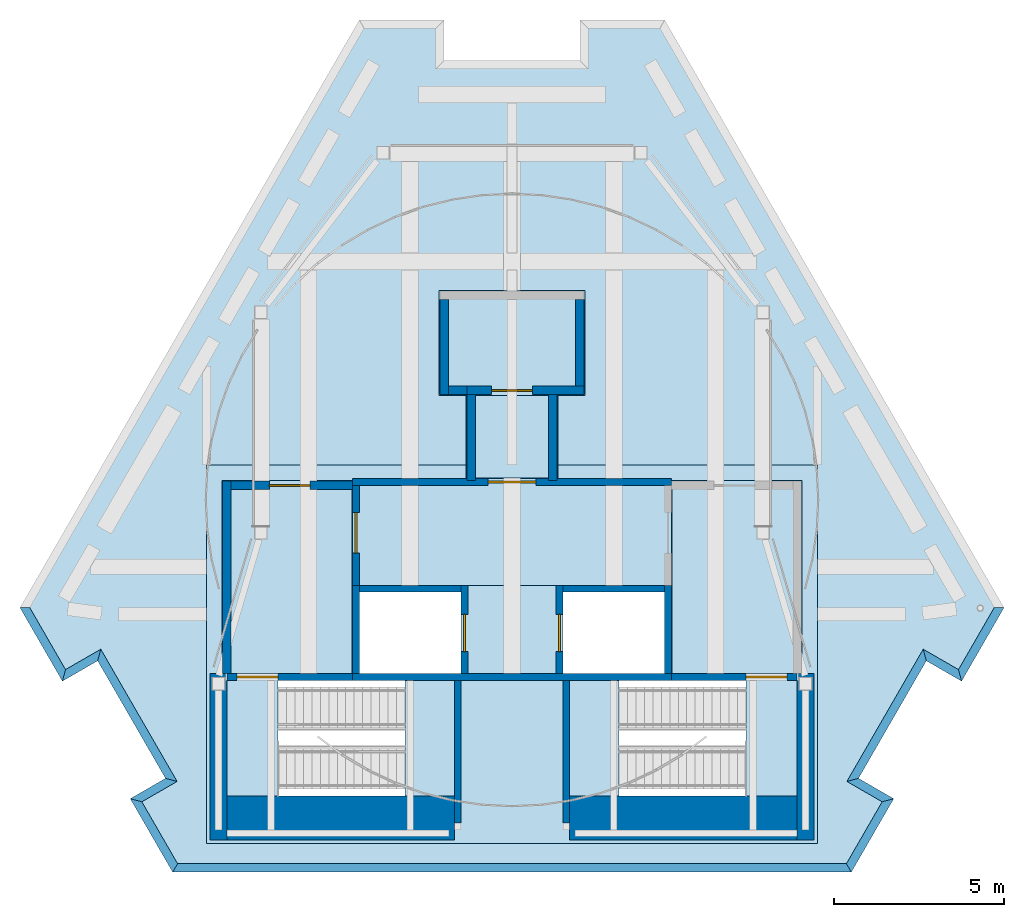
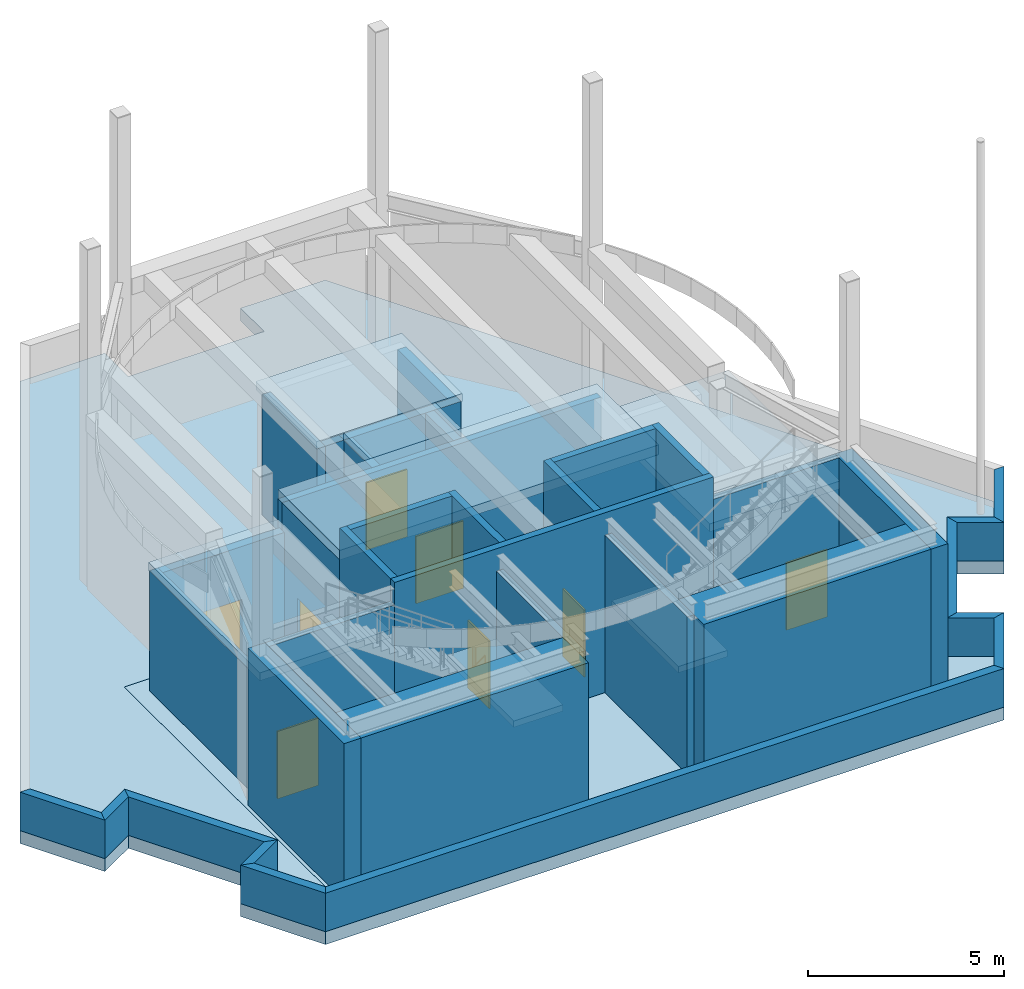
# One storey, part 3 of 6: 36 walls, 9 slabs, 8 doors, 8 openings, 2 elements without a shape of their own.
"""IFC4 building model written with IfcOpenShell, lengths in metres."""

from ifc_helpers import new_model, si_unit, direction, frame, frame_2d, origin, place, context, subcontext, project, spatial, polyline, rectangle, outline, extrude, material, layer, layer_set, type_object, element, fill, aggregate, save


model = new_model("IFC4")

# Units and contexts
model_context = context("Model", 3, precision=1e-05, world=origin(), true_north=direction((0.0, 1.0)))
body_context = subcontext(model_context, "Body", "Model", "MODEL_VIEW")
ifc_project = project(units=[si_unit("LENGTHUNIT", "METRE"), si_unit("AREAUNIT", "SQUARE_METRE"), si_unit("VOLUMEUNIT", "CUBIC_METRE"), si_unit("PLANEANGLEUNIT", "RADIAN"), si_unit("MASSUNIT", "GRAM", prefix="KILO")], contexts=[model_context])

# Site, building, storey
site_placement = place(None, origin())
site = spatial("IfcSite", under=ifc_project, at=site_placement, CompositionType="ELEMENT")
building_placement = place(site_placement, origin())
building = spatial("IfcBuilding", under=site, at=building_placement, Name="Fogline Exchange Tower", CompositionType="ELEMENT")
storey_placement = place(building_placement, frame((0.0, 0.0, 363.60009765625)))
storey = spatial("IfcBuildingStorey", under=building, at=storey_placement, Name="RF", CompositionType="ELEMENT", Elevation=363.60009765625)

# Slabs
ifc_material_1 = material(Name="Concrete C40", Category="concrete")
ifc_layer_1 = layer(ifc_material_1, 0.300048828125)
ifc_layer_set_1 = layer_set([ifc_layer_1], Name="CR300")
slab_type_1 = type_object("IfcSlabType", Name="CR300", PredefinedType="ROOF", material=ifc_layer_set_1)
slab_1_placement = place(storey_placement, frame((0.0, 0.0, 4.599853515625)))
element("IfcSlab", 1, at=slab_1_placement, inside=storey, type_object=slab_type_1, Name="Lift lobby roof slab", PredefinedType="ROOF", context=body_context, shape_type="SweptSolid", body=[
    extrude(outline(polyline([(-4.699951171875, 8.449951171875), (4.699951171875, 8.449951171875), (4.699951171875, 11.60009765625), (-4.699951171875, 11.60009765625), (-4.699951171875, 8.449951171875)])), origin(), (0.0, 0.0, 1.0), 0.300048828125),
])
ifc_layer_2 = layer(ifc_material_1, 0.39990234375)
ifc_layer_set_2 = layer_set([ifc_layer_2], Name="CR400")
slab_type_2 = type_object("IfcSlabType", Name="CR400", PredefinedType="ROOF", material=ifc_layer_set_2)
slab_2_placement = place(storey_placement, frame((0.0, 0.0, -0.400146484375)))
element("IfcSlab", 2, at=slab_2_placement, inside=storey, type_object=slab_type_2, Name="Core roof slab", PredefinedType="ROOF", context=body_context, shape_type="SweptSolid", body=[
    extrude(outline(polyline([(-9.0, 12.0), (9.0, 12.0), (9.0, 0.85009765625), (-9.0, 0.85009765625), (-9.0, 12.0)]), holes=[polyline([(-6.889892578125, 2.25), (-1.699951171875, 2.25), (-1.699951171875, 5.64990234375), (-6.889892578125, 5.64990234375), (-6.889892578125, 2.25)]), polyline([(1.699951171875, 2.25), (6.889892578125, 2.25), (6.889892578125, 5.64990234375), (1.699951171875, 5.64990234375), (1.699951171875, 2.25)]), polyline([(-4.5, 5.85009765625), (-1.5, 5.85009765625), (-1.5, 8.25), (-4.5, 8.25), (-4.5, 5.85009765625)]), polyline([(1.5, 5.85009765625), (4.5, 5.85009765625), (4.5, 8.25), (1.5, 8.25), (1.5, 5.85009765625)])]), origin(), (0.0, 0.0, 1.0), 0.400146484375),
])

# Stair, slab
ifc_material_2 = material(Name="Steel Q355 grade B", Category="steel")
stair_type = type_object("IfcStairType", Name="HST", PredefinedType="TWO_STRAIGHT_RUN_STAIR", material=ifc_material_2)
stair_1_placement = place(storey_placement, origin())
stair_1 = element("IfcStair", 3, at=stair_1_placement, inside=storey, type_object=stair_type, Name="Helipad stair W", PredefinedType="TWO_STRAIGHT_RUN_STAIR")
ifc_layer_3 = layer(ifc_material_2, 0.199951171875)
ifc_layer_set_3 = layer_set([ifc_layer_3], Name="HL1")
slab_type_3 = type_object("IfcSlabType", Name="HL1", PredefinedType="LANDING", material=ifc_layer_set_3)
slab_3_placement = place(storey_placement, frame((0.0, 0.0, 2.599853515625)))
slab_3 = element("IfcSlab", 4, at=slab_3_placement, type_object=slab_type_3, Name="HS1 landing 1", PredefinedType="LANDING", context=body_context, shape_type="SweptSolid", body=[
    extrude(outline(polyline([(-3.14990234375, 2.25), (-1.699951171875, 2.25), (-1.699951171875, 5.64990234375), (-3.14990234375, 5.64990234375), (-3.14990234375, 2.25)])), origin(), (0.0, 0.0, 1.0), 0.199951171875),
])
aggregate(stair_1, [slab_3])

stair_2_placement = place(storey_placement, origin())
stair_2 = element("IfcStair", 5, at=stair_2_placement, inside=storey, type_object=stair_type, Name="Helipad stair E", PredefinedType="TWO_STRAIGHT_RUN_STAIR")
slab_4_placement = place(storey_placement, frame((0.0, 0.0, 2.599853515625)))
slab_4 = element("IfcSlab", 6, at=slab_4_placement, type_object=slab_type_3, Name="HS2 landing 1", PredefinedType="LANDING", context=body_context, shape_type="SweptSolid", body=[
    extrude(outline(polyline([(3.14990234375, 2.25), (1.699951171875, 2.25), (1.699951171875, 5.64990234375), (3.14990234375, 5.64990234375), (3.14990234375, 2.25)])), origin(), (0.0, 0.0, 1.0), 0.199951171875),
])
aggregate(stair_2, [slab_4])

# Slabs
ifc_layer_4 = layer(ifc_material_1, 0.25)
ifc_layer_set_4 = layer_set([ifc_layer_4], Name="PRF1")
slab_type_4 = type_object("IfcSlabType", Name="PRF1", PredefinedType="ROOF", material=ifc_layer_set_4)
slab_5_placement = place(storey_placement, frame((0.0, 0.0, 3.75)))
element("IfcSlab", 7, at=slab_5_placement, inside=storey, type_object=slab_type_4, Name="Penthouse roof slab", PredefinedType="ROOF", context=body_context, shape_type="SweptSolid", body=[
    extrude(outline(polyline([(2.14990234375, 17.14990234375), (2.14990234375, 14.050048828125), (-2.14990234375, 14.050048828125), (-2.14990234375, 17.14990234375), (2.14990234375, 17.14990234375)])), origin(), (0.0, 0.0, 1.0), 0.25),
])
slab_6_placement = place(storey_placement, frame((0.0, 0.0, 3.75)))
element("IfcSlab", 8, at=slab_6_placement, inside=storey, type_object=slab_type_4, Name="Penthouse roof slab", PredefinedType="ROOF", context=body_context, shape_type="SweptSolid", body=[
    extrude(outline(polyline([(1.35009765625, 11.610107421875), (-1.35009765625, 11.610107421875), (-1.35009765625, 14.050048828125), (1.35009765625, 14.050048828125), (1.35009765625, 11.610107421875)])), origin(), (0.0, 0.0, 1.0), 0.25),
])
slab_7_placement = place(storey_placement, frame((0.0, 0.0, 3.75)))
element("IfcSlab", 9, at=slab_7_placement, inside=storey, type_object=slab_type_4, Name="Penthouse roof slab", PredefinedType="ROOF", context=body_context, shape_type="SweptSolid", body=[
    extrude(outline(polyline([(-8.550048828125, 11.550048828125), (-4.7099609375, 11.550048828125), (-4.7099609375, 5.860107421875), (-8.550048828125, 5.860107421875), (-8.550048828125, 11.550048828125)])), origin(), (0.0, 0.0, 1.0), 0.25),
])
slab_8_placement = place(storey_placement, frame((0.0, 0.0, 3.75)))
element("IfcSlab", 10, at=slab_8_placement, inside=storey, type_object=slab_type_4, Name="Penthouse roof slab", PredefinedType="ROOF", context=body_context, shape_type="SweptSolid", body=[
    extrude(outline(polyline([(8.550048828125, 5.860107421875), (4.7099609375, 5.860107421875), (4.7099609375, 11.550048828125), (8.550048828125, 11.550048828125), (8.550048828125, 5.860107421875)])), origin(), (0.0, 0.0, 1.0), 0.25),
])
ifc_layer_5 = layer(ifc_material_1, 0.39990234375)
ifc_layer_set_5 = layer_set([ifc_layer_5], Name="S11")
slab_type_5 = type_object("IfcSlabType", Name="S11", PredefinedType="ROOF", material=ifc_layer_set_5)
slab_9_placement = place(storey_placement, frame((0.0, 0.0, -0.400146484375)))
element("IfcSlab", 11, at=slab_9_placement, inside=storey, type_object=slab_type_5, Name="SLAB RF", PredefinedType="ROOF", context=body_context, shape_type="SweptSolid", body=[
    extrude(outline(polyline([(-4.5, 25.11474609375), (-14.5, 7.794189453125), (-13.25, 5.629150390625), (-12.210693359375, 6.229248046875), (-10.210693359375, 2.76513671875), (-11.25, 2.1650390625), (-10.0, 0.0), (10.0, 0.0), (11.25, 2.1650390625), (10.210693359375, 2.76513671875), (12.210693359375, 6.229248046875), (13.25, 5.629150390625), (14.5, 7.794189453125), (4.5, 25.11474609375), (2.0, 25.11474609375), (2.0, 23.914794921875), (-2.0, 23.914794921875), (-2.0, 25.11474609375), (-4.5, 25.11474609375)]), holes=[polyline([(9.0, 0.85009765625), (-9.0, 0.85009765625), (-9.0, 12.0), (9.0, 12.0), (9.0, 0.85009765625)])]), origin(), (0.0, 0.0, 1.0), 0.400146484375),
])

# Walls
ifc_layer_6 = layer(ifc_material_1, 1.300048828125)
ifc_layer_set_6 = layer_set([ifc_layer_6], Name="CW130")
wall_type_1 = type_object("IfcWallType", Name="CW130", PredefinedType="SOLIDWALL", material=ifc_layer_set_6)
for number, where, z_axis, x_axis, name in (
    (12, (-8.39990234375, 1.60009765625, 0.0), (0.0, 0.0, 1.0), (1.0, 0.0, 0.0), "Stair head house wall"),
    (13, (1.699951171875, 1.60009765625, 0.0), (0.0, 0.0, 1.0), (1.0, 0.0, 0.0), "Stair head house wall"),
):
    element("IfcWall", number, at=place(storey_placement, frame(where, z_axis=z_axis, x_axis=x_axis)), inside=storey, type_object=wall_type_1, Name=name, PredefinedType="SOLIDWALL", context=body_context, shape_type="SweptSolid", body=[
        extrude(rectangle(XDim=6.699951171875, YDim=1.300048828125, at=frame_2d((3.35009765625, 0.0))), origin(), (0.0, 0.0, 1.0), 4.89990234375),
    ])
ifc_layer_7 = layer(ifc_material_1, 0.199951171875)
ifc_layer_set_7 = layer_set([ifc_layer_7], Name="CW20")
wall_type_2 = type_object("IfcWallType", Name="CW20", PredefinedType="SOLIDWALL", material=ifc_layer_set_7)
wall_1_placement = place(storey_placement, frame((-4.699951171875, 5.75, 0.0), z_axis=(0.0, 0.0, 1.0), x_axis=(1.0, 0.0, 0.0)))
element("IfcWall", 14, at=wall_1_placement, inside=storey, type_object=wall_type_2, Name="Lift shaft wall", PredefinedType="SOLIDWALL", context=body_context, shape_type="SweptSolid", body=[
    extrude(rectangle(XDim=9.39990234375, YDim=0.199951171875, at=frame_2d((4.699951171875, 0.0))), origin(), (0.0, 0.0, 1.0), 5.599853515625),
])

# Wall, opening, door
wall_2_placement = place(storey_placement, frame((-4.699951171875, 11.5, 0.0), z_axis=(0.0, 0.0, 1.0), x_axis=(1.0, 0.0, 0.0)))
wall_2 = element("IfcWall", 15, at=wall_2_placement, inside=storey, type_object=wall_type_2, Name="Lift lobby wall", PredefinedType="SOLIDWALL", context=body_context, shape_type="SweptSolid", body=[
    extrude(rectangle(XDim=9.39990234375, YDim=0.199951171875, at=frame_2d((4.699951171875, 0.0))), origin(), (0.0, 0.0, 1.0), 4.599853515625),
])
opening_1_placement = place(wall_2_placement, frame((4.0, 0.0, 0.0)))
opening_1 = element("IfcOpeningElement", 16, at=opening_1_placement, cuts=wall_2, Name="Opening RF-C001", PredefinedType="OPENING", context=body_context, shape_type="SweptSolid", body=[
    extrude(rectangle(XDim=1.39990234375, YDim=2.10009765625, at=frame_2d((0.699951171875, 1.050048828125))), frame((0.0, 0.10986328125, 0.0), z_axis=(0.0, -1.0, 0.0), x_axis=(1.0, 0.0, 0.0)), (0.0, 0.0, 1.0), 0.219970703125),
])
ifc_material_3 = material(Name="Steel and timber fire door", Category="steel")
door_type_1 = type_object("IfcDoorType", Name="D-LB1", OperationType="DOUBLE_DOOR_SINGLE_SWING", PredefinedType="DOOR", material=ifc_material_3)
door_1_placement = place(opening_1_placement, frame((1.39990234375, 0.0, 0.0), z_axis=(0.0, 0.0, 1.0), x_axis=(-1.0, 0.0, 0.0)))
door_1 = element("IfcDoor", 17, at=door_1_placement, inside=storey, type_object=door_type_1, Name="Roof door", OperationType="DOUBLE_DOOR_SINGLE_SWING", OverallHeight=2.10009765625, OverallWidth=1.39990234375, PredefinedType="DOOR", context=body_context, shape_type="SweptSolid", body=[
    extrude(rectangle(XDim=1.39990234375, YDim=2.10009765625, at=frame_2d((0.699951171875, 1.050048828125))), frame((0.0, 0.02490234375, 0.0), z_axis=(0.0, -1.0, 0.0), x_axis=(1.0, 0.0, 0.0)), (0.0, 0.0, 1.0), 0.050048828125),
])
fill(opening_1, door_1)

# Walls
for number, where, z_axis, x_axis, name in (
    (18, (-4.60009765625, 5.85009765625, 0.0), (0.0, 0.0, 1.0), (0.0, 1.0, 0.0), "Lift shaft wall"),
    (19, (4.60009765625, 5.85009765625, 0.0), (0.0, 0.0, 1.0), (0.0, 1.0, 0.0), "Lift shaft wall"),
):
    element("IfcWall", number, at=place(storey_placement, frame(where, z_axis=z_axis, x_axis=x_axis)), inside=storey, type_object=wall_type_2, Name=name, PredefinedType="SOLIDWALL", context=body_context, shape_type="SweptSolid", body=[
        extrude(rectangle(XDim=2.599853515625, YDim=0.199951171875, at=frame_2d((1.2998046875, 0.0))), origin(), (0.0, 0.0, 1.0), 5.599853515625),
    ])

# Wall, opening, door
wall_3_placement = place(storey_placement, frame((-4.60009765625, 8.449951171875, 0.0), z_axis=(0.0, 0.0, 1.0), x_axis=(0.0, 1.0, 0.0)))
wall_3 = element("IfcWall", 20, at=wall_3_placement, inside=storey, type_object=wall_type_2, Name="Lift shaft wall", PredefinedType="SOLIDWALL", context=body_context, shape_type="SweptSolid", body=[
    extrude(rectangle(XDim=2.949951171875, YDim=0.199951171875, at=frame_2d((1.47509765625, 0.0))), origin(), (0.0, 0.0, 1.0), 4.599853515625),
])
opening_2_placement = place(wall_3_placement, frame((0.949951171875, 0.0, 0.0)))
opening_2 = element("IfcOpeningElement", 21, at=opening_2_placement, cuts=wall_3, Name="Opening RF-C004", PredefinedType="OPENING", context=body_context, shape_type="SweptSolid", body=[
    extrude(rectangle(XDim=1.199951171875, YDim=2.10009765625, at=frame_2d((0.60009765625, 1.050048828125))), frame((0.0, 0.10986328125, 0.0), z_axis=(0.0, -1.0, 0.0), x_axis=(1.0, 0.0, 0.0)), (0.0, 0.0, 1.0), 0.219970703125),
])
ifc_material_4 = material(Name="Steel Q235B", Category="steel")
door_type_2 = type_object("IfcDoorType", Name="PD7", OperationType="SINGLE_SWING_LEFT", PredefinedType="DOOR", material=ifc_material_4)
door_2_placement = place(opening_2_placement, origin())
door_2 = element("IfcDoor", 22, at=door_2_placement, inside=storey, type_object=door_type_2, Name="Roof lobby door", OperationType="SINGLE_SWING_RIGHT", OverallHeight=2.10009765625, OverallWidth=1.199951171875, PredefinedType="DOOR", context=body_context, shape_type="SweptSolid", body=[
    extrude(rectangle(XDim=1.199951171875, YDim=2.10009765625, at=frame_2d((0.60009765625, 1.050048828125))), frame((0.0, 0.02490234375, 0.0), z_axis=(0.0, -1.0, 0.0), x_axis=(1.0, 0.0, 0.0)), (0.0, 0.0, 1.0), 0.050048828125),
])
fill(opening_2, door_2)

wall_4_placement = place(storey_placement, frame((-1.39990234375, 5.85009765625, 0.0), z_axis=(0.0, 0.0, 1.0), x_axis=(0.0, 1.0, 0.0)))
wall_4 = element("IfcWall", 23, at=wall_4_placement, inside=storey, type_object=wall_type_2, Name="Lift shaft wall", PredefinedType="SOLIDWALL", context=body_context, shape_type="SweptSolid", body=[
    extrude(rectangle(XDim=2.599853515625, YDim=0.199951171875, at=frame_2d((1.2998046875, 0.0))), origin(), (0.0, 0.0, 1.0), 5.599853515625),
])
opening_3_placement = place(wall_4_placement, frame((0.64990234375, 0.0, 0.0)))
opening_3 = element("IfcOpeningElement", 24, at=opening_3_placement, cuts=wall_4, Name="Opening RF-LD01", PredefinedType="OPENING", context=body_context, shape_type="SweptSolid", body=[
    extrude(rectangle(XDim=1.10009765625, YDim=2.10009765625, at=frame_2d((0.550048828125, 1.050048828125))), frame((0.0, 0.10986328125, 0.0), z_axis=(0.0, -1.0, 0.0), x_axis=(1.0, 0.0, 0.0)), (0.0, 0.0, 1.0), 0.219970703125),
])
door_type_3 = type_object("IfcDoorType", Name="LD2", OperationType="SLIDING_TO_RIGHT", PredefinedType="DOOR", material=ifc_material_3)
door_3_placement = place(opening_3_placement, origin())
door_3 = element("IfcDoor", 25, at=door_3_placement, inside=storey, type_object=door_type_3, Name="Landing door FF1", OperationType="SLIDING_TO_RIGHT", OverallHeight=2.10009765625, OverallWidth=1.10009765625, PredefinedType="DOOR", context=body_context, shape_type="SweptSolid", body=[
    extrude(rectangle(XDim=1.10009765625, YDim=2.10009765625, at=frame_2d((0.550048828125, 1.050048828125))), frame((0.0, 0.02490234375, 0.0), z_axis=(0.0, -1.0, 0.0), x_axis=(1.0, 0.0, 0.0)), (0.0, 0.0, 1.0), 0.050048828125),
])
fill(opening_3, door_3)

wall_5_placement = place(storey_placement, frame((1.39990234375, 5.85009765625, 0.0), z_axis=(0.0, 0.0, 1.0), x_axis=(0.0, 1.0, 0.0)))
wall_5 = element("IfcWall", 26, at=wall_5_placement, inside=storey, type_object=wall_type_2, Name="Lift shaft wall", PredefinedType="SOLIDWALL", context=body_context, shape_type="SweptSolid", body=[
    extrude(rectangle(XDim=2.599853515625, YDim=0.199951171875, at=frame_2d((1.2998046875, 0.0))), origin(), (0.0, 0.0, 1.0), 5.599853515625),
])
opening_4_placement = place(wall_5_placement, frame((0.64990234375, 0.0, 0.0)))
opening_4 = element("IfcOpeningElement", 27, at=opening_4_placement, cuts=wall_5, Name="Opening RF-LD02", PredefinedType="OPENING", context=body_context, shape_type="SweptSolid", body=[
    extrude(rectangle(XDim=1.10009765625, YDim=2.10009765625, at=frame_2d((0.550048828125, 1.050048828125))), frame((0.0, 0.10986328125, 0.0), z_axis=(0.0, -1.0, 0.0), x_axis=(1.0, 0.0, 0.0)), (0.0, 0.0, 1.0), 0.219970703125),
])
door_4_placement = place(opening_4_placement, origin())
door_4 = element("IfcDoor", 28, at=door_4_placement, inside=storey, type_object=door_type_3, Name="Landing door FF2", OperationType="SLIDING_TO_RIGHT", OverallHeight=2.10009765625, OverallWidth=1.10009765625, PredefinedType="DOOR", context=body_context, shape_type="SweptSolid", body=[
    extrude(rectangle(XDim=1.10009765625, YDim=2.10009765625, at=frame_2d((0.550048828125, 1.050048828125))), frame((0.0, 0.02490234375, 0.0), z_axis=(0.0, -1.0, 0.0), x_axis=(1.0, 0.0, 0.0)), (0.0, 0.0, 1.0), 0.050048828125),
])
fill(opening_4, door_4)

# Walls
for number, where, z_axis, x_axis, name in (
    (29, (-4.5, 8.35009765625, 0.0), (0.0, 0.0, 1.0), (1.0, 0.0, 0.0), "Lift shaft wall"),
    (30, (1.5, 8.35009765625, 0.0), (0.0, 0.0, 1.0), (1.0, 0.0, 0.0), "Lift shaft wall"),
):
    element("IfcWall", number, at=place(storey_placement, frame(where, z_axis=z_axis, x_axis=x_axis)), inside=storey, type_object=wall_type_2, Name=name, PredefinedType="SOLIDWALL", context=body_context, shape_type="SweptSolid", body=[
        extrude(rectangle(XDim=3.0, YDim=0.199951171875, at=frame_2d((1.5, 0.0))), origin(), (0.0, 0.0, 1.0), 5.599853515625),
    ])

# Wall, opening, door
wall_6_placement = place(storey_placement, frame((-8.39990234375, 5.75, 0.0), z_axis=(0.0, 0.0, 1.0), x_axis=(1.0, 0.0, 0.0)))
wall_6 = element("IfcWall", 31, at=wall_6_placement, inside=storey, type_object=wall_type_2, Name="Stair head house wall", PredefinedType="SOLIDWALL", context=body_context, shape_type="SweptSolid", body=[
    extrude(rectangle(XDim=3.699951171875, YDim=0.199951171875, at=frame_2d((1.85009765625, 0.0))), origin(), (0.0, 0.0, 1.0), 4.89990234375),
])
opening_5_placement = place(wall_6_placement, frame((0.300048828125, 0.0, 0.0)))
opening_5 = element("IfcOpeningElement", 32, at=opening_5_placement, cuts=wall_6, Name="Opening RF-C002", PredefinedType="OPENING", context=body_context, shape_type="SweptSolid", body=[
    extrude(rectangle(XDim=1.199951171875, YDim=2.10009765625, at=frame_2d((0.60009765625, 1.050048828125))), frame((0.0, 0.10986328125, 0.0), z_axis=(0.0, -1.0, 0.0), x_axis=(1.0, 0.0, 0.0)), (0.0, 0.0, 1.0), 0.219970703125),
])
door_type_4 = type_object("IfcDoorType", Name="D-ST1", OperationType="SINGLE_SWING_LEFT", PredefinedType="DOOR", material=ifc_material_3)
door_5_placement = place(opening_5_placement, frame((1.199951171875, 0.0, 0.0), z_axis=(0.0, 0.0, 1.0), x_axis=(-1.0, 0.0, 0.0)))
door_5 = element("IfcDoor", 33, at=door_5_placement, inside=storey, type_object=door_type_4, Name="Roof door CS1", OperationType="SINGLE_SWING_RIGHT", OverallHeight=2.10009765625, OverallWidth=1.199951171875, PredefinedType="DOOR", context=body_context, shape_type="SweptSolid", body=[
    extrude(rectangle(XDim=1.199951171875, YDim=2.10009765625, at=frame_2d((0.60009765625, 1.050048828125))), frame((0.0, 0.02490234375, 0.0), z_axis=(0.0, -1.0, 0.0), x_axis=(1.0, 0.0, 0.0)), (0.0, 0.0, 1.0), 0.050048828125),
])
fill(opening_5, door_5)

# Wall
wall_7_placement = place(storey_placement, frame((-1.60009765625, 1.449951171875, 0.0), z_axis=(0.0, 0.0, 1.0), x_axis=(0.0, 1.0, 0.0)))
element("IfcWall", 34, at=wall_7_placement, inside=storey, type_object=wall_type_2, Name="Stair head house wall", PredefinedType="SOLIDWALL", context=body_context, shape_type="SweptSolid", body=[
    extrude(rectangle(XDim=4.199951171875, YDim=0.199951171875, at=frame_2d((2.10009765625, 0.0))), origin(), (0.0, 0.0, 1.0), 4.89990234375),
])

# Wall, opening, door
wall_8_placement = place(storey_placement, frame((4.699951171875, 5.75, 0.0), z_axis=(0.0, 0.0, 1.0), x_axis=(1.0, 0.0, 0.0)))
wall_8 = element("IfcWall", 35, at=wall_8_placement, inside=storey, type_object=wall_type_2, Name="Stair head house wall", PredefinedType="SOLIDWALL", context=body_context, shape_type="SweptSolid", body=[
    extrude(rectangle(XDim=3.699951171875, YDim=0.199951171875, at=frame_2d((1.85009765625, 0.0))), origin(), (0.0, 0.0, 1.0), 4.89990234375),
])
opening_6_placement = place(wall_8_placement, frame((2.199951171875, 0.0, 0.0)))
opening_6 = element("IfcOpeningElement", 36, at=opening_6_placement, cuts=wall_8, Name="Opening RF-C003", PredefinedType="OPENING", context=body_context, shape_type="SweptSolid", body=[
    extrude(rectangle(XDim=1.199951171875, YDim=2.10009765625, at=frame_2d((0.60009765625, 1.050048828125))), frame((0.0, 0.10986328125, 0.0), z_axis=(0.0, -1.0, 0.0), x_axis=(1.0, 0.0, 0.0)), (0.0, 0.0, 1.0), 0.219970703125),
])
door_6_placement = place(opening_6_placement, frame((1.199951171875, 0.0, 0.0), z_axis=(0.0, 0.0, 1.0), x_axis=(-1.0, 0.0, 0.0)))
door_6 = element("IfcDoor", 37, at=door_6_placement, inside=storey, type_object=door_type_4, Name="Roof door CS2", OperationType="SINGLE_SWING_LEFT", OverallHeight=2.10009765625, OverallWidth=1.199951171875, PredefinedType="DOOR", context=body_context, shape_type="SweptSolid", body=[
    extrude(rectangle(XDim=1.199951171875, YDim=2.10009765625, at=frame_2d((0.60009765625, 1.050048828125))), frame((0.0, 0.02490234375, 0.0), z_axis=(0.0, -1.0, 0.0), x_axis=(1.0, 0.0, 0.0)), (0.0, 0.0, 1.0), 0.050048828125),
])
fill(opening_6, door_6)

# Walls
wall_9_placement = place(storey_placement, frame((1.60009765625, 1.449951171875, 0.0), z_axis=(0.0, 0.0, 1.0), x_axis=(0.0, 1.0, 0.0)))
element("IfcWall", 38, at=wall_9_placement, inside=storey, type_object=wall_type_2, Name="Stair head house wall", PredefinedType="SOLIDWALL", context=body_context, shape_type="SweptSolid", body=[
    extrude(rectangle(XDim=4.199951171875, YDim=0.199951171875, at=frame_2d((2.10009765625, 0.0))), origin(), (0.0, 0.0, 1.0), 4.89990234375),
])
ifc_layer_8 = layer(ifc_material_1, 0.5)
ifc_layer_set_8 = layer_set([ifc_layer_8], Name="CW50")
wall_type_3 = type_object("IfcWallType", Name="CW50", PredefinedType="SOLIDWALL", material=ifc_layer_set_8)
for number, where, z_axis, x_axis, name in (
    (39, (-8.64990234375, 0.949951171875, 0.0), (0.0, 0.0, 1.0), (0.0, 1.0, 0.0), "Stair head house wall"),
    (40, (8.64990234375, 0.949951171875, 0.0), (0.0, 0.0, 1.0), (0.0, 1.0, 0.0), "Stair head house wall"),
):
    element("IfcWall", number, at=place(storey_placement, frame(where, z_axis=z_axis, x_axis=x_axis)), inside=storey, type_object=wall_type_3, Name=name, PredefinedType="SOLIDWALL", context=body_context, shape_type="SweptSolid", body=[
        extrude(rectangle(XDim=4.900146484375, YDim=0.5, at=frame_2d((2.4501953125, 0.0))), origin(), (0.0, 0.0, 1.0), 4.89990234375),
    ])
ifc_material_5 = material(Name="Brick masonry", Category="masonry")
ifc_layer_9 = layer(ifc_material_5, 0.25)
ifc_layer_set_9 = layer_set([ifc_layer_9], Name="FW2")
wall_type_4 = type_object("IfcWallType", Name="FW2", PredefinedType="PARAPET", material=ifc_layer_set_9)
wall_10_placement = place(storey_placement, origin())
element("IfcWall", 41, at=wall_10_placement, inside=storey, type_object=wall_type_4, Name="Roof parapet", PredefinedType="PARAPET", context=body_context, shape_type="SweptSolid", body=[
    extrude(outline(polyline([(-14.211181640625, 7.794189453125), (-14.5, 7.794189453125), (-13.25, 5.629150390625), (-13.158447265625, 5.970703125), (-14.211181640625, 7.794189453125)])), origin(), (0.0, 0.0, 1.0), 1.199951171875),
])
wall_11_placement = place(storey_placement, origin())
element("IfcWall", 42, at=wall_11_placement, inside=storey, type_object=wall_type_4, Name="Roof parapet", PredefinedType="PARAPET", context=body_context, shape_type="SweptSolid", body=[
    extrude(outline(polyline([(-13.158447265625, 5.970703125), (-13.25, 5.629150390625), (-12.210693359375, 6.229248046875), (-12.119384765625, 6.57080078125), (-13.158447265625, 5.970703125)])), origin(), (0.0, 0.0, 1.0), 1.199951171875),
])
wall_12_placement = place(storey_placement, origin())
element("IfcWall", 43, at=wall_12_placement, inside=storey, type_object=wall_type_4, Name="Roof parapet", PredefinedType="PARAPET", context=body_context, shape_type="SweptSolid", body=[
    extrude(outline(polyline([(-12.119384765625, 6.57080078125), (-12.210693359375, 6.229248046875), (-10.210693359375, 2.76513671875), (-9.869384765625, 2.673583984375), (-12.119384765625, 6.57080078125)])), origin(), (0.0, 0.0, 1.0), 1.199951171875),
])
wall_13_placement = place(storey_placement, origin())
element("IfcWall", 44, at=wall_13_placement, inside=storey, type_object=wall_type_4, Name="Roof parapet", PredefinedType="PARAPET", context=body_context, shape_type="SweptSolid", body=[
    extrude(outline(polyline([(-9.869384765625, 2.673583984375), (-10.210693359375, 2.76513671875), (-11.25, 2.1650390625), (-10.908447265625, 2.073486328125), (-9.869384765625, 2.673583984375)])), origin(), (0.0, 0.0, 1.0), 1.199951171875),
])
wall_14_placement = place(storey_placement, origin())
element("IfcWall", 45, at=wall_14_placement, inside=storey, type_object=wall_type_4, Name="Roof parapet", PredefinedType="PARAPET", context=body_context, shape_type="SweptSolid", body=[
    extrude(outline(polyline([(-10.908447265625, 2.073486328125), (-11.25, 2.1650390625), (-10.0, 0.0), (-9.855712890625, 0.25), (-10.908447265625, 2.073486328125)])), origin(), (0.0, 0.0, 1.0), 1.199951171875),
])
wall_15_placement = place(storey_placement, origin())
element("IfcWall", 46, at=wall_15_placement, inside=storey, type_object=wall_type_4, Name="Roof parapet", PredefinedType="PARAPET", context=body_context, shape_type="SweptSolid", body=[
    extrude(outline(polyline([(-9.855712890625, 0.25), (-10.0, 0.0), (10.0, 0.0), (9.855712890625, 0.25), (-9.855712890625, 0.25)])), origin(), (0.0, 0.0, 1.0), 1.199951171875),
])
wall_16_placement = place(storey_placement, origin())
element("IfcWall", 47, at=wall_16_placement, inside=storey, type_object=wall_type_4, Name="Roof parapet", PredefinedType="PARAPET", context=body_context, shape_type="SweptSolid", body=[
    extrude(outline(polyline([(9.855712890625, 0.25), (10.0, 0.0), (11.25, 2.1650390625), (10.908447265625, 2.073486328125), (9.855712890625, 0.25)])), origin(), (0.0, 0.0, 1.0), 1.199951171875),
])
wall_17_placement = place(storey_placement, origin())
element("IfcWall", 48, at=wall_17_placement, inside=storey, type_object=wall_type_4, Name="Roof parapet", PredefinedType="PARAPET", context=body_context, shape_type="SweptSolid", body=[
    extrude(outline(polyline([(10.908447265625, 2.073486328125), (11.25, 2.1650390625), (10.210693359375, 2.76513671875), (9.869384765625, 2.673583984375), (10.908447265625, 2.073486328125)])), origin(), (0.0, 0.0, 1.0), 1.199951171875),
])
wall_18_placement = place(storey_placement, origin())
element("IfcWall", 49, at=wall_18_placement, inside=storey, type_object=wall_type_4, Name="Roof parapet", PredefinedType="PARAPET", context=body_context, shape_type="SweptSolid", body=[
    extrude(outline(polyline([(9.869384765625, 2.673583984375), (10.210693359375, 2.76513671875), (12.210693359375, 6.229248046875), (12.119384765625, 6.57080078125), (9.869384765625, 2.673583984375)])), origin(), (0.0, 0.0, 1.0), 1.199951171875),
])
wall_19_placement = place(storey_placement, origin())
element("IfcWall", 50, at=wall_19_placement, inside=storey, type_object=wall_type_4, Name="Roof parapet", PredefinedType="PARAPET", context=body_context, shape_type="SweptSolid", body=[
    extrude(outline(polyline([(12.119384765625, 6.57080078125), (12.210693359375, 6.229248046875), (13.25, 5.629150390625), (13.158447265625, 5.970703125), (12.119384765625, 6.57080078125)])), origin(), (0.0, 0.0, 1.0), 1.199951171875),
])
wall_20_placement = place(storey_placement, origin())
element("IfcWall", 51, at=wall_20_placement, inside=storey, type_object=wall_type_4, Name="Roof parapet", PredefinedType="PARAPET", context=body_context, shape_type="SweptSolid", body=[
    extrude(outline(polyline([(13.158447265625, 5.970703125), (13.25, 5.629150390625), (14.5, 7.794189453125), (14.211181640625, 7.794189453125), (13.158447265625, 5.970703125)])), origin(), (0.0, 0.0, 1.0), 1.199951171875),
])
ifc_layer_10 = layer(ifc_material_1, 0.25)
ifc_layer_set_10 = layer_set([ifc_layer_10], Name="PP3")
wall_type_5 = type_object("IfcWallType", Name="PP3", PredefinedType="SOLIDWALL", material=ifc_layer_set_10)
wall_21_placement = place(storey_placement, frame((-8.39990234375, 5.85009765625, 0.0), z_axis=(0.0, 0.0, 1.0), x_axis=(0.0, 1.0, 0.0)))
element("IfcWall", 52, at=wall_21_placement, inside=storey, type_object=wall_type_5, Name="PP3 partition", PredefinedType="SOLIDWALL", context=body_context, shape_type="SweptSolid", body=[
    extrude(rectangle(XDim=5.6748046875, YDim=0.25, at=frame_2d((2.83740234375, 0.0))), origin(), (0.0, 0.0, 1.0), 3.75),
])

# Wall, opening, door
wall_22_placement = place(storey_placement, frame((-8.27490234375, 11.39990234375, 0.0), z_axis=(0.0, 0.0, 1.0), x_axis=(1.0, 0.0, 0.0)))
wall_22 = element("IfcWall", 53, at=wall_22_placement, inside=storey, type_object=wall_type_5, Name="PP3 partition", PredefinedType="SOLIDWALL", context=body_context, shape_type="SweptSolid", body=[
    extrude(rectangle(XDim=3.574951171875, YDim=0.25, at=frame_2d((1.78759765625, 0.0))), origin(), (0.0, 0.0, 1.0), 3.75),
])
opening_7_placement = place(wall_22_placement, frame((1.125, 0.0, 0.0)))
opening_7 = element("IfcOpeningElement", 54, at=opening_7_placement, cuts=wall_22, Name="Opening RF-D002", PredefinedType="OPENING", context=body_context, shape_type="SweptSolid", body=[
    extrude(rectangle(XDim=1.199951171875, YDim=2.10009765625, at=frame_2d((0.60009765625, 1.050048828125))), frame((0.0, 0.135009765625, 0.0), z_axis=(0.0, -1.0, 0.0), x_axis=(1.0, 0.0, 0.0)), (0.0, 0.0, 1.0), 0.27001953125),
])
door_7_placement = place(opening_7_placement, origin())
door_7 = element("IfcDoor", 55, at=door_7_placement, inside=storey, type_object=door_type_2, Name="RF-D002", OperationType="SINGLE_SWING_LEFT", OverallHeight=2.10009765625, OverallWidth=1.199951171875, PredefinedType="DOOR", context=body_context, shape_type="SweptSolid", body=[
    extrude(rectangle(XDim=1.199951171875, YDim=2.10009765625, at=frame_2d((0.60009765625, 1.050048828125))), frame((0.0, 0.02490234375, 0.0), z_axis=(0.0, -1.0, 0.0), x_axis=(1.0, 0.0, 0.0)), (0.0, 0.0, 1.0), 0.050048828125),
])
fill(opening_7, door_7)

# Walls
for number, where, z_axis, x_axis, name in (
    (56, (-1.199951171875, 11.550048828125, 0.0), (0.0, 0.0, 1.0), (0.0, 1.0, 0.0), "PP3 partition"),
    (57, (1.199951171875, 14.074951171875, 0.0), (0.0, 0.0, 1.0), (0.0, -1.0, 0.0), "PP3 partition"),
):
    element("IfcWall", number, at=place(storey_placement, frame(where, z_axis=z_axis, x_axis=x_axis)), inside=storey, type_object=wall_type_5, Name=name, PredefinedType="SOLIDWALL", context=body_context, shape_type="SweptSolid", body=[
        extrude(rectangle(XDim=2.52490234375, YDim=0.25, at=frame_2d((1.262451171875, 0.0))), origin(), (0.0, 0.0, 1.0), 3.75),
    ])

# Wall, opening, door
ifc_layer_11 = layer(ifc_material_1, 0.25)
ifc_layer_set_11 = layer_set([ifc_layer_11], Name="PP6")
wall_type_6 = type_object("IfcWallType", Name="PP6", PredefinedType="SOLIDWALL", material=ifc_layer_set_11)
wall_23_placement = place(storey_placement, frame((2.125, 14.199951171875, 0.0), z_axis=(0.0, 0.0, 1.0), x_axis=(-1.0, 0.0, 0.0)))
wall_23 = element("IfcWall", 58, at=wall_23_placement, inside=storey, type_object=wall_type_6, Name="PP6 bearing wall", PredefinedType="SOLIDWALL", context=body_context, shape_type="SweptSolid", body=[
    extrude(rectangle(XDim=3.449951171875, YDim=0.25, at=frame_2d((1.72509765625, 0.0))), origin(), (0.0, 0.0, 1.0), 3.75),
])
opening_8_placement = place(wall_23_placement, frame((1.52490234375, 0.0, 0.0)))
opening_8 = element("IfcOpeningElement", 59, at=opening_8_placement, cuts=wall_23, Name="Opening RF-D001", PredefinedType="OPENING", context=body_context, shape_type="SweptSolid", body=[
    extrude(rectangle(XDim=1.199951171875, YDim=2.10009765625, at=frame_2d((0.60009765625, 1.050048828125))), frame((0.0, 0.135009765625, 0.0), z_axis=(0.0, -1.0, 0.0), x_axis=(1.0, 0.0, 0.0)), (0.0, 0.0, 1.0), 0.27001953125),
])
door_8_placement = place(opening_8_placement, frame((1.199951171875, 0.0, 0.0), z_axis=(0.0, 0.0, 1.0), x_axis=(-1.0, 0.0, 0.0)))
door_8 = element("IfcDoor", 60, at=door_8_placement, inside=storey, type_object=door_type_2, Name="RF-D001", OperationType="SINGLE_SWING_LEFT", OverallHeight=2.10009765625, OverallWidth=1.199951171875, PredefinedType="DOOR", context=body_context, shape_type="SweptSolid", body=[
    extrude(rectangle(XDim=1.199951171875, YDim=2.10009765625, at=frame_2d((0.60009765625, 1.050048828125))), frame((0.0, 0.02490234375, 0.0), z_axis=(0.0, -1.0, 0.0), x_axis=(1.0, 0.0, 0.0)), (0.0, 0.0, 1.0), 0.050048828125),
])
fill(opening_8, door_8)

# Walls
wall_24_placement = place(storey_placement, frame((-2.0, 14.074951171875, 0.0), z_axis=(0.0, 0.0, 1.0), x_axis=(0.0, 1.0, 0.0)))
element("IfcWall", 61, at=wall_24_placement, inside=storey, type_object=wall_type_6, Name="PP6 bearing wall", PredefinedType="SOLIDWALL", context=body_context, shape_type="SweptSolid", body=[
    extrude(rectangle(XDim=2.800048828125, YDim=0.25, at=frame_2d((1.39990234375, 0.0))), origin(), (0.0, 0.0, 1.0), 3.75),
])
wall_25_placement = place(storey_placement, frame((2.0, 16.875, 0.0), z_axis=(0.0, 0.0, 1.0), x_axis=(0.0, -1.0, 0.0)))
element("IfcWall", 62, at=wall_25_placement, inside=storey, type_object=wall_type_6, Name="PP6 bearing wall", PredefinedType="SOLIDWALL", context=body_context, shape_type="SweptSolid", body=[
    extrude(rectangle(XDim=2.550048828125, YDim=0.25, at=frame_2d((1.27490234375, 0.0))), origin(), (0.0, 0.0, 1.0), 3.75),
])
wall_26_placement = place(storey_placement, frame((-1.324951171875, 14.199951171875, 0.0), z_axis=(0.0, 0.0, 1.0), x_axis=(-1.0, 0.0, 0.0)))
element("IfcWall", 63, at=wall_26_placement, inside=storey, type_object=wall_type_6, Name="PP6 bearing wall", PredefinedType="SOLIDWALL", context=body_context, shape_type="SweptSolid", body=[
    extrude(rectangle(XDim=0.550048828125, YDim=0.25, at=frame_2d((0.27490234375, 0.0))), origin(), (0.0, 0.0, 1.0), 3.75),
])

save(model, "model.ifc")
